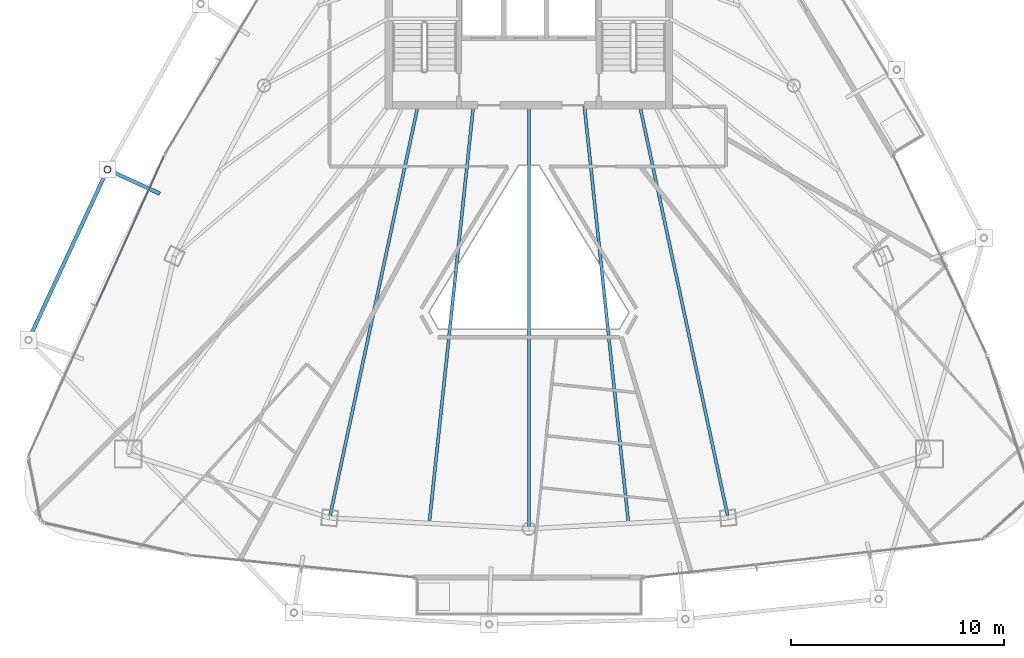
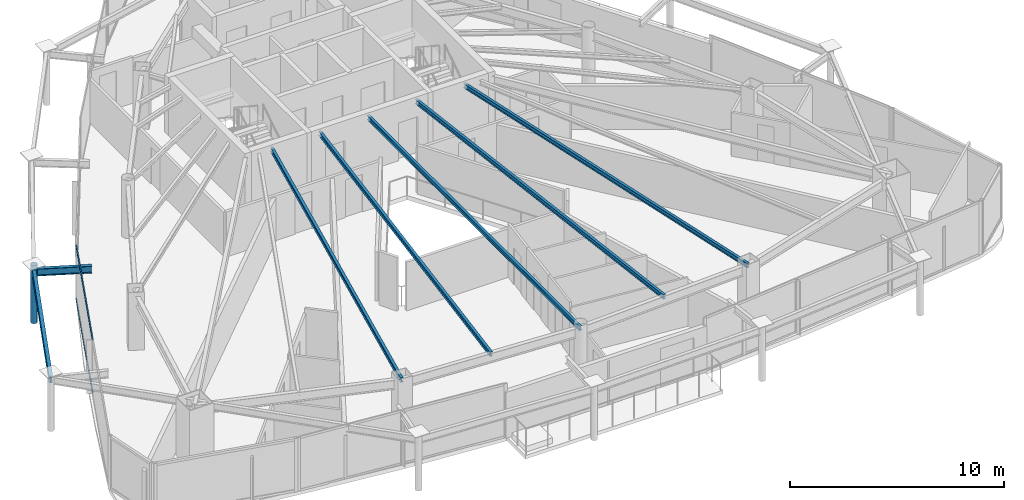
# One storey, part 10 of 34: 7 beams, 3 members, 1 element without a shape of its own.
"""IFC4 building model written with IfcOpenShell, lengths in metres."""

from ifc_helpers import new_model, si_unit, direction, frame, origin, origin_2d, place, context, subcontext, project, spatial, hollow_rectangle, hollow_circle, i_section, extrude, material, layer, layer_set, material_profile, profile_set, type_object, element, aggregate, save


model = new_model("IFC4")

# Units and contexts
model_context = context("Model", 3, precision=1e-05, world=origin(), true_north=direction((0.0, 1.0)))
body_context = subcontext(model_context, "Body", "Model", "MODEL_VIEW")
ifc_project = project(units=[si_unit("LENGTHUNIT", "METRE"), si_unit("AREAUNIT", "SQUARE_METRE"), si_unit("VOLUMEUNIT", "CUBIC_METRE"), si_unit("PLANEANGLEUNIT", "RADIAN"), si_unit("MASSUNIT", "GRAM", prefix="KILO")], contexts=[model_context])

# Site, building, storey
site_placement = place(None, origin())
site = spatial("IfcSite", under=ifc_project, at=site_placement, CompositionType="ELEMENT")
building_placement = place(site_placement, origin())
building = spatial("IfcBuilding", under=site, at=building_placement, Name="Orvanel Arch Residences", CompositionType="ELEMENT")
storey_placement = place(building_placement, frame((0.0, 0.0, 203.0)))
storey = spatial("IfcBuildingStorey", under=building, at=storey_placement, Name="L57", CompositionType="ELEMENT", Elevation=203.0)

# Beams
ifc_material_1 = material(Name="Structural steel AS/NZS 3679.1 Grade 300 (300 MPa)", Category="steel")
ifc_material_profile_1 = material_profile(ifc_material_1, i_section(OverallWidth=0.14599609375, OverallDepth=0.251953125, WebThickness=0.006103515625, FlangeThickness=0.008544921875, at=origin_2d()), Name="250UB31.4")
ifc_profile_set_1 = profile_set([ifc_material_profile_1], Name="Structural steel AS/NZS 3679.1 Grade 300 (300 MPa)")
beam_type_1 = type_object("IfcBeamType", Name="BJ-250UB", PredefinedType="JOIST", material=ifc_profile_set_1)
for number, where, z_axis, x_axis, name in (
    (1, (27.800048828125, 26.72509765625, 2.93408203125), (-0.209547604985, -0.977798446125, 0.0), (0.977798446125, -0.209547604985, 0.0), "L57 SW Wing Floor Joist"),
    (2, (38.199951171875, 26.72509765625, 2.93408203125), (0.209547604985, -0.977798446125, 0.0), (0.977798446125, 0.209547604985, 0.0), "L57 SE Wing Floor Joist"),
):
    element("IfcBeam", number, at=place(storey_placement, frame(where, z_axis=z_axis, x_axis=x_axis)), inside=storey, type_object=beam_type_1, Name=name, PredefinedType="JOIST", context=body_context, shape_type="SweptSolid", body=[
        extrude(i_section(OverallWidth=0.14599609375, OverallDepth=0.251953125, WebThickness=0.006103515625, FlangeThickness=0.008544921875, at=origin_2d()), origin(), (0.0, 0.0, 1.0), 19.809814453125),
    ])
beam_1_placement = place(storey_placement, frame((33.0, 26.72509765625, 2.93408203125), z_axis=(0.0, -1.0, 0.0), x_axis=(1.0, 0.0, 0.0)))
element("IfcBeam", 3, at=beam_1_placement, inside=storey, type_object=beam_type_1, Name="L57 SSW Wing Floor Joist", PredefinedType="JOIST", context=body_context, shape_type="SweptSolid", body=[
    extrude(i_section(OverallWidth=0.14599609375, OverallDepth=0.251953125, WebThickness=0.006103515625, FlangeThickness=0.008544921875, at=origin_2d()), origin(), (0.0, 0.0, 1.0), 19.881103515625),
])
for number, where, z_axis, x_axis, name in (
    (4, (30.39990234375, 26.72509765625, 2.93408203125), (-0.105143936131, -0.994457014, 0.0), (0.994457014, -0.105143936131, 0.0), "L57 WSW2 Wing Floor Joist"),
    (5, (35.60009765625, 26.72509765625, 2.93408203125), (0.105143936131, -0.994457014, 0.0), (0.994457014, 0.105143936131, 0.0), "L57 ESE2 Wing Floor Joist"),
):
    element("IfcBeam", number, at=place(storey_placement, frame(where, z_axis=z_axis, x_axis=x_axis)), inside=storey, type_object=beam_type_1, Name=name, PredefinedType="JOIST", context=body_context, shape_type="SweptSolid", body=[
        extrude(i_section(OverallWidth=0.14599609375, OverallDepth=0.251953125, WebThickness=0.006103515625, FlangeThickness=0.008544921875, at=origin_2d()), origin(), (0.0, 0.0, 1.0), 19.734375),
    ])
ifc_material_profile_2 = material_profile(ifc_material_1, i_section(OverallWidth=0.177978515625, OverallDepth=0.406005859375, WebThickness=0.0078125, FlangeThickness=0.0126953125, at=origin_2d()), Name="410UB59.7")
ifc_profile_set_2 = profile_set([ifc_material_profile_2], Name="Structural steel AS/NZS 3679.1 Grade 300 (300 MPa)")
beam_type_2 = type_object("IfcBeamType", Name="OB-410UB-EXT", PredefinedType="SPANDREL", material=ifc_profile_set_2)
beam_2_placement = place(storey_placement, frame((15.68701171875, 22.568115234375, 2.85693359375), z_axis=(-0.908233236086, 0.418464322098, 0.0), x_axis=(-0.418464322098, -0.908233236086, 0.0)))
element("IfcBeam", 6, at=beam_2_placement, inside=storey, type_object=beam_type_2, Name="L57 Outer Frame Radial Tie Beam 03", PredefinedType="SPANDREL", context=body_context, shape_type="SweptSolid", body=[
    extrude(i_section(OverallWidth=0.177978515625, OverallDepth=0.406005859375, WebThickness=0.0078125, FlangeThickness=0.0126953125, at=origin_2d()), origin(), (0.0, 0.0, 1.0), 2.711669921875),
])
beam_3_placement = place(storey_placement, frame((13.22412109375, 23.702880859375, 2.85693359375), z_axis=(-0.420076277338, -0.9074887995, 0.0), x_axis=(0.9074887995, -0.420076277338, 0.0)))
element("IfcBeam", 7, at=beam_3_placement, inside=storey, type_object=beam_type_2, Name="L57 Outer Perimeter Floor Ring Beam 03", PredefinedType="SPANDREL", context=body_context, shape_type="SweptSolid", body=[
    extrude(i_section(OverallWidth=0.177978515625, OverallDepth=0.406005859375, WebThickness=0.0078125, FlangeThickness=0.0126953125, at=origin_2d()), origin(), (0.0, 0.0, 1.0), 8.817626953125),
])

# Member
ifc_material_2 = material(Name="Structural steel AS/NZS 1163 C350L0 (Grade 350)", Category="steel")
ifc_material_profile_3 = material_profile(ifc_material_2, hollow_circle(Radius=0.162109375, WallThickness=0.0126953125, at=origin_2d()), Name="CHS324x12.7")
ifc_profile_set_3 = profile_set([ifc_material_profile_3], Name="Structural steel AS/NZS 1163 C350L0 (Grade 350)")
member_type_1 = type_object("IfcMemberType", Name="ST-324CHS-EXT", PredefinedType="STRUT", material=ifc_profile_set_3)
member_1_placement = place(storey_placement, frame((13.22412109375, 23.702880859375, 0.0), z_axis=(0.0, 0.0, 1.0), x_axis=(1.0, 0.0, 0.0)))
element("IfcMember", 8, at=member_1_placement, inside=storey, type_object=member_type_1, Name="L57 Outer Perimeter Frame Post 03", PredefinedType="STRUT", context=body_context, shape_type="SweptSolid", body=[
    extrude(hollow_circle(Radius=0.162109375, WallThickness=0.0126953125, at=origin_2d()), origin(), (0.0, 0.0, 1.0), 3.300048828125),
])

# Curtain wall, members
ifc_material_3 = material(Name="Bronze-anodised aluminium AA6063-T6", Category="aluminium")
ifc_layer = layer(ifc_material_3, 0.175048828125)
ifc_layer_set = layer_set([ifc_layer], Name="Bronze-anodised aluminium AA6063-T6")
curtain_wall_type = type_object("IfcCurtainWallType", Name="CW4-HI-SYS", PredefinedType="NOTDEFINED", material=ifc_layer_set)
curtain_wall_placement = place(storey_placement, origin())
curtain_wall = element("IfcCurtainWall", 9, at=curtain_wall_placement, inside=storey, type_object=curtain_wall_type, Name="L57 CW4-HI-SYS Unitised Curtain Wall", PredefinedType="NOTDEFINED")
ifc_material_profile_4 = material_profile(ifc_material_3, hollow_rectangle(XDim=0.06005859375, YDim=0.1201171875, WallThickness=0.00341796875, at=origin_2d()), Name="ALU120x60x3.5")
ifc_profile_set_4 = profile_set([ifc_material_profile_4], Name="Bronze-anodised aluminium AA6063-T6")
member_type_2 = type_object("IfcMemberType", Name="TRN-120x60", PredefinedType="USERDEFINED", material=ifc_profile_set_4)
member_2_placement = place(storey_placement, frame((15.8662109375, 24.306884765625, 0.030029296875), z_axis=(-0.411757574699, -0.911293421285, 0.0), x_axis=(0.911293421285, -0.411757574699, 0.0)))
member_2 = element("IfcMember", 10, at=member_2_placement, type_object=member_type_2, Name="CW-S4 transom 1.1", ObjectType="TRANSOM", PredefinedType="USERDEFINED", context=body_context, shape_type="SweptSolid", body=[
    extrude(hollow_rectangle(XDim=0.06005859375, YDim=0.1201171875, WallThickness=0.00341796875, at=origin_2d()), origin(), (0.0, 0.0, 1.0), 7.656982421875),
])
member_3_placement = place(storey_placement, frame((15.8662109375, 24.306884765625, 3.030029296875), z_axis=(-0.411757574699, -0.911293421285, 0.0), x_axis=(0.911293421285, -0.411757574699, 0.0)))
member_3 = element("IfcMember", 11, at=member_3_placement, type_object=member_type_2, Name="CW-S4 transom 1.2", ObjectType="TRANSOM", PredefinedType="USERDEFINED", context=body_context, shape_type="SweptSolid", body=[
    extrude(hollow_rectangle(XDim=0.06005859375, YDim=0.1201171875, WallThickness=0.00341796875, at=origin_2d()), origin(), (0.0, 0.0, 1.0), 7.656982421875),
])
aggregate(curtain_wall, [member_2, member_3])

save(model, "model.ifc")
